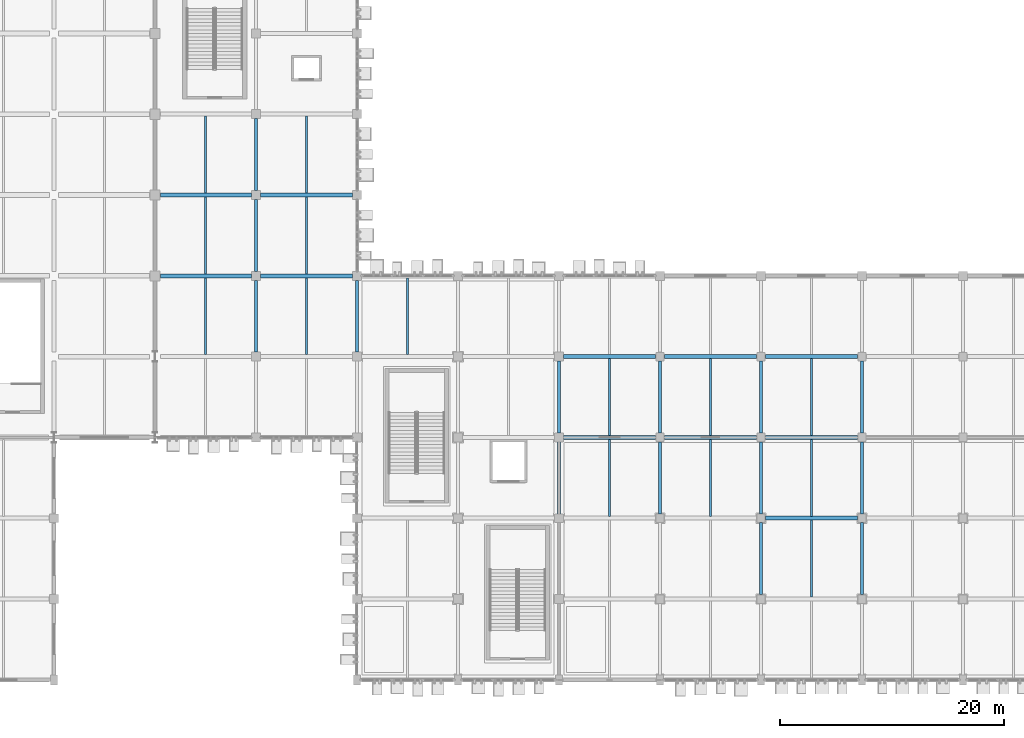
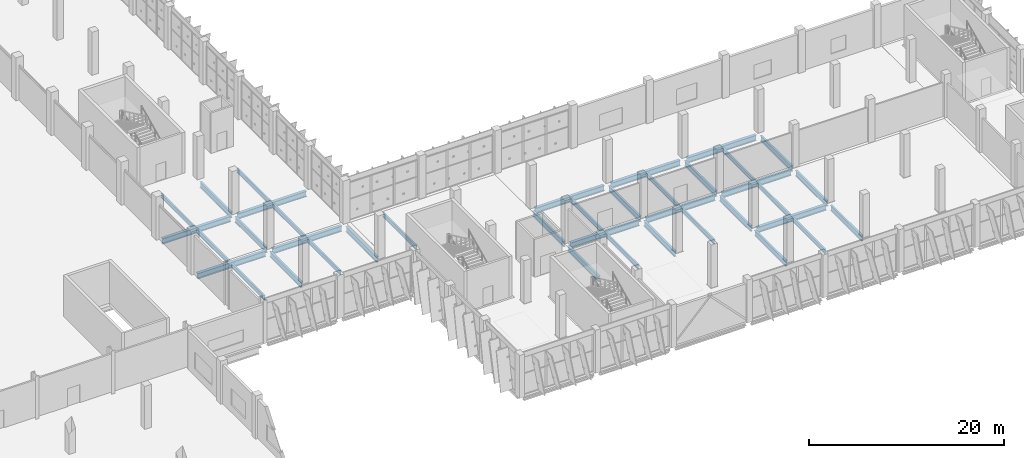
# One storey, part 36 of 137: 39 beams.
"""IFC4 building model written with IfcOpenShell, lengths in metres."""

from ifc_helpers import new_model, si_unit, direction, frame, origin, origin_2d, place, context, subcontext, project, spatial, i_section, extrude, material, material_profile, profile_set, type_object, element, save


model = new_model("IFC4")

# Units and contexts
model_context = context("Model", 3, precision=1e-05, world=origin(), true_north=direction((0.0, 1.0)))
body_context = subcontext(model_context, "Body", "Model", "MODEL_VIEW")
ifc_project = project(units=[si_unit("LENGTHUNIT", "METRE"), si_unit("AREAUNIT", "SQUARE_METRE"), si_unit("VOLUMEUNIT", "CUBIC_METRE"), si_unit("PLANEANGLEUNIT", "RADIAN"), si_unit("MASSUNIT", "GRAM", prefix="KILO")], contexts=[model_context])

# Site, building, storey
site_placement = place(None, origin())
site = spatial("IfcSite", under=ifc_project, at=site_placement, CompositionType="ELEMENT")
building_placement = place(site_placement, origin())
building = spatial("IfcBuilding", under=site, at=building_placement, Name="Celestram Park Convention Centre", CompositionType="ELEMENT")
storey_placement = place(building_placement, origin())
storey = spatial("IfcBuildingStorey", under=building, at=storey_placement, Name="L00", CompositionType="ELEMENT", Elevation=0.0)

# Beams
ifc_material = material(Name="Steel ASTM A992 Grade 50", Category="steel")
ifc_material_profile_1 = material_profile(ifc_material, i_section(OverallWidth=0.35595703125, OverallDepth=0.696044921875, WebThickness=0.015380859375, FlangeThickness=0.02490234375, at=origin_2d()), Name="W27X146")
ifc_profile_set_1 = profile_set([ifc_material_profile_1], Name="Steel ASTM A992 Grade 50")
beam_type_1 = type_object("IfcBeamType", Name="STR-BM-W27X146", PredefinedType="BEAM", material=ifc_profile_set_1)
for number, where, z_axis, x_axis, name in (
    (1, (126.498046875, 36.0, -0.66796875), (1.0, 0.0, 0.0), (0.0, 1.0, 0.0), "Primary X-girder BG-L00-0587"),
    (2, (126.498046875, 43.199951171875, -0.66796875), (1.0, 0.0, 0.0), (0.0, 1.0, 0.0), "Primary X-girder BG-L00-0589"),
):
    element("IfcBeam", number, at=place(storey_placement, frame(where, z_axis=z_axis, x_axis=x_axis)), inside=storey, type_object=beam_type_1, Name=name, PredefinedType="BEAM", context=body_context, shape_type="SweptSolid", body=[
        extrude(i_section(OverallWidth=0.35595703125, OverallDepth=0.696044921875, WebThickness=0.015380859375, FlangeThickness=0.02490234375, at=origin_2d()), origin(), (0.0, 0.0, 1.0), 8.10400390625),
    ])
for number, where, z_axis, x_axis, name in (
    (3, (135.39794921875, 36.0, -0.66796875), (1.0, 0.0, 0.0), (0.0, 1.0, 0.0), "Primary X-girder BG-L00-0625"),
    (4, (135.39794921875, 43.199951171875, -0.66796875), (1.0, 0.0, 0.0), (0.0, 1.0, 0.0), "Primary X-girder BG-L00-0627"),
    (5, (162.39794921875, 21.60009765625, -0.66796875), (1.0, 0.0, 0.0), (0.0, 1.0, 0.0), "Primary X-girder BG-L00-0723"),
    (6, (162.39794921875, 28.800048828125, -0.66796875), (1.0, 0.0, 0.0), (0.0, 1.0, 0.0), "Primary X-girder BG-L00-0725"),
    (7, (171.39794921875, 21.60009765625, -0.66796875), (1.0, 0.0, 0.0), (0.0, 1.0, 0.0), "Primary X-girder BG-L00-0749"),
    (8, (171.39794921875, 28.800048828125, -0.66796875), (1.0, 0.0, 0.0), (0.0, 1.0, 0.0), "Primary X-girder BG-L00-0751"),
    (9, (180.39794921875, 14.39990234375, -0.66796875), (1.0, 0.0, 0.0), (0.0, 1.0, 0.0), "Primary X-girder BG-L00-0773"),
    (10, (180.39794921875, 21.60009765625, -0.66796875), (1.0, 0.0, 0.0), (0.0, 1.0, 0.0), "Primary X-girder BG-L00-0775"),
    (11, (180.39794921875, 28.800048828125, -0.66796875), (1.0, 0.0, 0.0), (0.0, 1.0, 0.0), "Primary X-girder BG-L00-0777"),
):
    element("IfcBeam", number, at=place(storey_placement, frame(where, z_axis=z_axis, x_axis=x_axis)), inside=storey, type_object=beam_type_1, Name=name, PredefinedType="BEAM", context=body_context, shape_type="SweptSolid", body=[
        extrude(i_section(OverallWidth=0.35595703125, OverallDepth=0.696044921875, WebThickness=0.015380859375, FlangeThickness=0.02490234375, at=origin_2d()), origin(), (0.0, 0.0, 1.0), 8.2041015625),
    ])
ifc_material_profile_2 = material_profile(ifc_material, i_section(OverallWidth=0.25390625, OverallDepth=0.68310546875, WebThickness=0.012451171875, FlangeThickness=0.01904296875, at=origin_2d()), Name="W27X94")
ifc_profile_set_2 = profile_set([ifc_material_profile_2], Name="Steel ASTM A992 Grade 50")
beam_type_2 = type_object("IfcBeamType", Name="STR-BM-W27X94", PredefinedType="BEAM", material=ifc_profile_set_2)
for number, where, z_axis, x_axis, name in (
    (12, (135.0, 29.197998046875, -0.66162109375), (0.0, 1.0, 0.0), (-1.0, 0.0, 0.0), "Primary Y-girder BG-L00-0624"),
    (13, (135.0, 36.39794921875, -0.66162109375), (0.0, 1.0, 0.0), (-1.0, 0.0, 0.0), "Primary Y-girder BG-L00-0626"),
    (14, (135.0, 43.597900390625, -0.66162109375), (0.0, 1.0, 0.0), (-1.0, 0.0, 0.0), "Primary Y-girder BG-L00-0628"),
    (15, (144.0, 29.197998046875, -0.66162109375), (0.0, 1.0, 0.0), (-1.0, 0.0, 0.0), "Primary Y-girder BG-L00-0668"),
):
    element("IfcBeam", number, at=place(storey_placement, frame(where, z_axis=z_axis, x_axis=x_axis)), inside=storey, type_object=beam_type_2, Name=name, PredefinedType="BEAM", context=body_context, shape_type="SweptSolid", body=[
        extrude(i_section(OverallWidth=0.25390625, OverallDepth=0.68310546875, WebThickness=0.012451171875, FlangeThickness=0.01904296875, at=origin_2d()), origin(), (0.0, 0.0, 1.0), 6.404052734375),
    ])
beam_1_placement = place(storey_placement, frame((162.0, 14.798095703125, -0.66162109375), z_axis=(0.0, 1.0, 0.0), x_axis=(-1.0, 0.0, 0.0)))
element("IfcBeam", 16, at=beam_1_placement, inside=storey, type_object=beam_type_2, Name="Primary Y-girder BG-L00-0722", PredefinedType="BEAM", context=body_context, shape_type="SweptSolid", body=[
    extrude(i_section(OverallWidth=0.25390625, OverallDepth=0.68310546875, WebThickness=0.012451171875, FlangeThickness=0.01904296875, at=origin_2d()), origin(), (0.0, 0.0, 1.0), 6.40380859375),
])
beam_2_placement = place(storey_placement, frame((162.0, 21.998046875, -0.66162109375), z_axis=(0.0, 1.0, 0.0), x_axis=(-1.0, 0.0, 0.0)))
element("IfcBeam", 17, at=beam_2_placement, inside=storey, type_object=beam_type_2, Name="Primary Y-girder BG-L00-0724", PredefinedType="BEAM", context=body_context, shape_type="SweptSolid", body=[
    extrude(i_section(OverallWidth=0.25390625, OverallDepth=0.68310546875, WebThickness=0.012451171875, FlangeThickness=0.01904296875, at=origin_2d()), origin(), (0.0, 0.0, 1.0), 6.404052734375),
])
beam_3_placement = place(storey_placement, frame((171.0, 14.798095703125, -0.66162109375), z_axis=(0.0, 1.0, 0.0), x_axis=(-1.0, 0.0, 0.0)))
element("IfcBeam", 18, at=beam_3_placement, inside=storey, type_object=beam_type_2, Name="Primary Y-girder BG-L00-0748", PredefinedType="BEAM", context=body_context, shape_type="SweptSolid", body=[
    extrude(i_section(OverallWidth=0.25390625, OverallDepth=0.68310546875, WebThickness=0.012451171875, FlangeThickness=0.01904296875, at=origin_2d()), origin(), (0.0, 0.0, 1.0), 6.40380859375),
])
for number, where, z_axis, x_axis, name in (
    (19, (171.0, 21.998046875, -0.66162109375), (0.0, 1.0, 0.0), (-1.0, 0.0, 0.0), "Primary Y-girder BG-L00-0750"),
    (20, (180.0, 7.597900390625, -0.66162109375), (0.0, 1.0, 0.0), (-1.0, 0.0, 0.0), "Primary Y-girder BG-L00-0772"),
):
    element("IfcBeam", number, at=place(storey_placement, frame(where, z_axis=z_axis, x_axis=x_axis)), inside=storey, type_object=beam_type_2, Name=name, PredefinedType="BEAM", context=body_context, shape_type="SweptSolid", body=[
        extrude(i_section(OverallWidth=0.25390625, OverallDepth=0.68310546875, WebThickness=0.012451171875, FlangeThickness=0.01904296875, at=origin_2d()), origin(), (0.0, 0.0, 1.0), 6.404052734375),
    ])
beam_4_placement = place(storey_placement, frame((180.0, 14.798095703125, -0.66162109375), z_axis=(0.0, 1.0, 0.0), x_axis=(-1.0, 0.0, 0.0)))
element("IfcBeam", 21, at=beam_4_placement, inside=storey, type_object=beam_type_2, Name="Primary Y-girder BG-L00-0774", PredefinedType="BEAM", context=body_context, shape_type="SweptSolid", body=[
    extrude(i_section(OverallWidth=0.25390625, OverallDepth=0.68310546875, WebThickness=0.012451171875, FlangeThickness=0.01904296875, at=origin_2d()), origin(), (0.0, 0.0, 1.0), 6.40380859375),
])
for number, where, z_axis, x_axis, name in (
    (22, (180.0, 21.998046875, -0.66162109375), (0.0, 1.0, 0.0), (-1.0, 0.0, 0.0), "Primary Y-girder BG-L00-0776"),
    (23, (189.0, 7.597900390625, -0.66162109375), (0.0, 1.0, 0.0), (-1.0, 0.0, 0.0), "Primary Y-girder BG-L00-0798"),
):
    element("IfcBeam", number, at=place(storey_placement, frame(where, z_axis=z_axis, x_axis=x_axis)), inside=storey, type_object=beam_type_2, Name=name, PredefinedType="BEAM", context=body_context, shape_type="SweptSolid", body=[
        extrude(i_section(OverallWidth=0.25390625, OverallDepth=0.68310546875, WebThickness=0.012451171875, FlangeThickness=0.01904296875, at=origin_2d()), origin(), (0.0, 0.0, 1.0), 6.404052734375),
    ])
beam_5_placement = place(storey_placement, frame((189.0, 14.798095703125, -0.66162109375), z_axis=(0.0, 1.0, 0.0), x_axis=(-1.0, 0.0, 0.0)))
element("IfcBeam", 24, at=beam_5_placement, inside=storey, type_object=beam_type_2, Name="Primary Y-girder BG-L00-0800", PredefinedType="BEAM", context=body_context, shape_type="SweptSolid", body=[
    extrude(i_section(OverallWidth=0.25390625, OverallDepth=0.68310546875, WebThickness=0.012451171875, FlangeThickness=0.01904296875, at=origin_2d()), origin(), (0.0, 0.0, 1.0), 6.40380859375),
])
beam_6_placement = place(storey_placement, frame((189.0, 21.998046875, -0.66162109375), z_axis=(0.0, 1.0, 0.0), x_axis=(-1.0, 0.0, 0.0)))
element("IfcBeam", 25, at=beam_6_placement, inside=storey, type_object=beam_type_2, Name="Primary Y-girder BG-L00-0802", PredefinedType="BEAM", context=body_context, shape_type="SweptSolid", body=[
    extrude(i_section(OverallWidth=0.25390625, OverallDepth=0.68310546875, WebThickness=0.012451171875, FlangeThickness=0.01904296875, at=origin_2d()), origin(), (0.0, 0.0, 1.0), 6.404052734375),
])
ifc_material_profile_3 = material_profile(ifc_material, i_section(OverallWidth=0.2099609375, OverallDepth=0.532958984375, WebThickness=0.01025390625, FlangeThickness=0.015625, at=origin_2d()), Name="W21X62")
ifc_profile_set_3 = profile_set([ifc_material_profile_3], Name="Steel ASTM A992 Grade 50")
beam_type_3 = type_object("IfcBeamType", Name="STR-JST-W21X62", PredefinedType="JOIST", material=ifc_profile_set_3)
for number, where, z_axis, x_axis, name in (
    (26, (130.5, 28.97412109375, -0.58642578125), (0.0, 1.0, 0.0), (-1.0, 0.0, 0.0), "Secondary composite joist BG-L00-1141"),
    (27, (130.5, 36.174072265625, -0.58642578125), (0.0, 1.0, 0.0), (-1.0, 0.0, 0.0), "Secondary composite joist BG-L00-1142"),
):
    element("IfcBeam", number, at=place(storey_placement, frame(where, z_axis=z_axis, x_axis=x_axis)), inside=storey, type_object=beam_type_3, Name=name, PredefinedType="JOIST", context=body_context, shape_type="SweptSolid", body=[
        extrude(i_section(OverallWidth=0.2099609375, OverallDepth=0.532958984375, WebThickness=0.01025390625, FlangeThickness=0.015625, at=origin_2d()), origin(), (0.0, 0.0, 1.0), 6.851806640625),
    ])
beam_7_placement = place(storey_placement, frame((130.5, 43.3740234375, -0.58642578125), z_axis=(0.0, 1.0, 0.0), x_axis=(-1.0, 0.0, 0.0)))
element("IfcBeam", 28, at=beam_7_placement, inside=storey, type_object=beam_type_3, Name="Secondary composite joist BG-L00-1143", PredefinedType="JOIST", context=body_context, shape_type="SweptSolid", body=[
    extrude(i_section(OverallWidth=0.2099609375, OverallDepth=0.532958984375, WebThickness=0.01025390625, FlangeThickness=0.015625, at=origin_2d()), origin(), (0.0, 0.0, 1.0), 6.85205078125),
])
for number, where, z_axis, x_axis, name in (
    (29, (139.5, 28.97412109375, -0.58642578125), (0.0, 1.0, 0.0), (-1.0, 0.0, 0.0), "Secondary composite joist BG-L00-1156"),
    (30, (139.5, 36.174072265625, -0.58642578125), (0.0, 1.0, 0.0), (-1.0, 0.0, 0.0), "Secondary composite joist BG-L00-1157"),
):
    element("IfcBeam", number, at=place(storey_placement, frame(where, z_axis=z_axis, x_axis=x_axis)), inside=storey, type_object=beam_type_3, Name=name, PredefinedType="JOIST", context=body_context, shape_type="SweptSolid", body=[
        extrude(i_section(OverallWidth=0.2099609375, OverallDepth=0.532958984375, WebThickness=0.01025390625, FlangeThickness=0.015625, at=origin_2d()), origin(), (0.0, 0.0, 1.0), 6.851806640625),
    ])
beam_8_placement = place(storey_placement, frame((139.5, 43.3740234375, -0.58642578125), z_axis=(0.0, 1.0, 0.0), x_axis=(-1.0, 0.0, 0.0)))
element("IfcBeam", 31, at=beam_8_placement, inside=storey, type_object=beam_type_3, Name="Secondary composite joist BG-L00-1158", PredefinedType="JOIST", context=body_context, shape_type="SweptSolid", body=[
    extrude(i_section(OverallWidth=0.2099609375, OverallDepth=0.532958984375, WebThickness=0.01025390625, FlangeThickness=0.015625, at=origin_2d()), origin(), (0.0, 0.0, 1.0), 6.85205078125),
])
beam_9_placement = place(storey_placement, frame((148.5, 28.97412109375, -0.58642578125), z_axis=(0.0, 1.0, 0.0), x_axis=(-1.0, 0.0, 0.0)))
element("IfcBeam", 32, at=beam_9_placement, inside=storey, type_object=beam_type_3, Name="Secondary composite joist BG-L00-1173", PredefinedType="JOIST", context=body_context, shape_type="SweptSolid", body=[
    extrude(i_section(OverallWidth=0.2099609375, OverallDepth=0.532958984375, WebThickness=0.01025390625, FlangeThickness=0.015625, at=origin_2d()), origin(), (0.0, 0.0, 1.0), 6.843994140625),
])
for number, where, z_axis, x_axis, name in (
    (33, (166.5, 14.573974609375, -0.58642578125), (0.0, 1.0, 0.0), (-1.0, 0.0, 0.0), "Secondary composite joist BG-L00-1186"),
    (34, (166.5, 21.77392578125, -0.58642578125), (0.0, 1.0, 0.0), (-1.0, 0.0, 0.0), "Secondary composite joist BG-L00-1187"),
    (35, (175.5, 14.573974609375, -0.58642578125), (0.0, 1.0, 0.0), (-1.0, 0.0, 0.0), "Secondary composite joist BG-L00-1198"),
    (36, (175.5, 21.77392578125, -0.58642578125), (0.0, 1.0, 0.0), (-1.0, 0.0, 0.0), "Secondary composite joist BG-L00-1199"),
    (37, (184.5, 7.3740234375, -0.58642578125), (0.0, 1.0, 0.0), (-1.0, 0.0, 0.0), "Secondary composite joist BG-L00-1209"),
    (38, (184.5, 14.573974609375, -0.58642578125), (0.0, 1.0, 0.0), (-1.0, 0.0, 0.0), "Secondary composite joist BG-L00-1210"),
    (39, (184.5, 21.77392578125, -0.58642578125), (0.0, 1.0, 0.0), (-1.0, 0.0, 0.0), "Secondary composite joist BG-L00-1211"),
):
    element("IfcBeam", number, at=place(storey_placement, frame(where, z_axis=z_axis, x_axis=x_axis)), inside=storey, type_object=beam_type_3, Name=name, PredefinedType="JOIST", context=body_context, shape_type="SweptSolid", body=[
        extrude(i_section(OverallWidth=0.2099609375, OverallDepth=0.532958984375, WebThickness=0.01025390625, FlangeThickness=0.015625, at=origin_2d()), origin(), (0.0, 0.0, 1.0), 6.85205078125),
    ])

save(model, "model.ifc")
